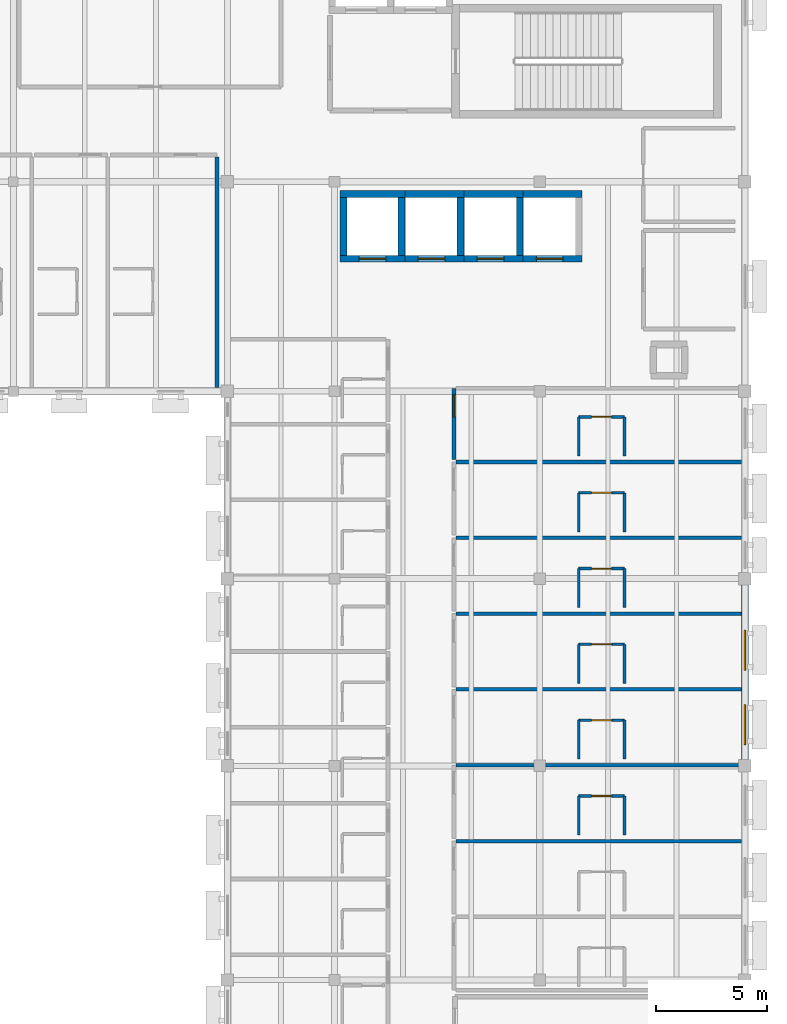
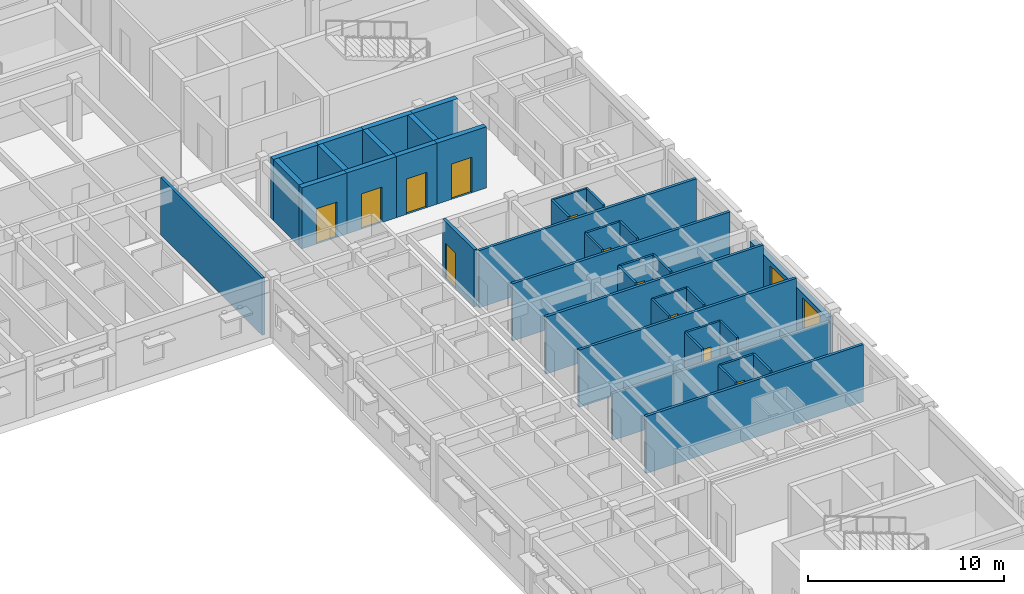
# One storey, part 32 of 40: 39 walls, 11 doors, 2 windows, 13 openings.
"""IFC4 building model written with IfcOpenShell, lengths in metres."""

import ifcopenshell
import ifcopenshell.guid

model = None  # the IFC model being written
_history = None  # IfcOwnerHistory: only IFC2X3 demands one
_inside = {}  # id of a spatial element -> (the spatial element, [elements in it])
_under = {}  # id of a project, library or spatial element -> (it, [spatial elements below it])
_declared = {}  # id of a project -> (the project, [libraries it declares])
_typed = {}  # id of a type object -> (the type object, [elements of that type])
_made_of = {}  # id of a material, layer set ... -> (it, [elements and type objects made of it])


def new_model(schema):
    """Start an empty IFC model of exactly this schema.

    Asked for "IFC4X3", IfcOpenShell would pick the latest addendum, in which some entities
    have other attributes; the version numbers below select the first issue.
    IFC2X3 requires an IfcOwnerHistory on every rooted entity: one is made here for all.
    """
    global model, _history
    if schema == "IFC4X3":
        model = ifcopenshell.file(schema_version=(4, 3, 0, 0))
    else:
        model = ifcopenshell.file(schema=schema)
    _inside.clear()
    _under.clear()
    _declared.clear()
    _typed.clear()
    _made_of.clear()
    _history = None
    if model.schema == "IFC2X3":
        org = make("IfcOrganization", Name="unknown")
        user = make(
            "IfcPersonAndOrganization",
            ThePerson=make("IfcPerson", FamilyName="unknown"),
            TheOrganization=org,
        )
        app = make(
            "IfcApplication",
            ApplicationDeveloper=org,
            Version="unknown",
            ApplicationFullName="unknown",
            ApplicationIdentifier="unknown",
        )
        _history = make(
            "IfcOwnerHistory",
            OwningUser=user,
            OwningApplication=app,
            ChangeAction="ADDED",
            CreationDate=0,
        )
    return model


def make(cls, **values):
    """One entity of the class cls with the attributes given. An attribute that is None is left unset."""
    return model.create_entity(
        cls, **{name: value for name, value in values.items() if value is not None}
    )


def rooted(cls, **values):
    """An entity with a GlobalId (a new one), such as an element, a storey or a relation."""
    return make(cls, GlobalId=ifcopenshell.guid.new(), OwnerHistory=_history, **values)


def si_unit(unit_type, name, prefix=None):
    """IfcSIUnit, for example si_unit("LENGTHUNIT", "METRE", prefix="MILLI")."""
    return make("IfcSIUnit", UnitType=unit_type, Prefix=prefix, Name=name)


def assignment(units):
    """IfcUnitAssignment: the units of a project."""
    return None if units is None else make("IfcUnitAssignment", Units=units)


def point(xyz):
    """IfcCartesianPoint."""
    return None if xyz is None else make("IfcCartesianPoint", Coordinates=xyz)


def direction(xyz):
    """IfcDirection."""
    return None if xyz is None else make("IfcDirection", DirectionRatios=xyz)


def frame(location, z_axis=None, x_axis=None):
    """IfcAxis2Placement3D, a coordinate frame: its origin and axes. An axis left out is left unset."""
    return make(
        "IfcAxis2Placement3D",
        Location=point(location),
        Axis=direction(z_axis),
        RefDirection=direction(x_axis),
    )


def frame_2d(location, x_axis=None):
    """IfcAxis2Placement2D, a coordinate frame in the plane: its origin and x axis."""
    return make(
        "IfcAxis2Placement2D", Location=point(location), RefDirection=direction(x_axis)
    )


def origin():
    """The frame at (0, 0, 0) with its axes left unset."""
    return frame((0.0, 0.0, 0.0))


def place(relative_to, where):
    """IfcLocalPlacement: puts the frame where relative to a parent placement (None: the world)."""
    return make(
        "IfcLocalPlacement", PlacementRelTo=relative_to, RelativePlacement=where
    )


def context(
    kind, dimensions, precision=None, world=None, true_north=None, identifier=None
):
    """IfcGeometricRepresentationContext, for example the 3D "Model" context."""
    return make(
        "IfcGeometricRepresentationContext",
        ContextIdentifier=identifier,
        ContextType=kind,
        CoordinateSpaceDimension=dimensions,
        Precision=precision,
        WorldCoordinateSystem=world,
        TrueNorth=true_north,
    )


def subcontext(parent, identifier, kind, view, scale=None):
    """IfcGeometricRepresentationSubContext, for example "Body" below "Model"."""
    return make(
        "IfcGeometricRepresentationSubContext",
        ContextIdentifier=identifier,
        ContextType=kind,
        ParentContext=parent,
        TargetScale=scale,
        TargetView=view,
    )


def project(units=None, contexts=None):
    """IfcProject with its units and contexts."""
    return rooted(
        "IfcProject",
        Name="project",
        RepresentationContexts=contexts,
        UnitsInContext=assignment(units),
    )


def spatial(cls, under=None, at=None, **own):
    """A site, building, storey or space (cls), placed at a placement, below another one or the project."""
    s = rooted(cls, ObjectPlacement=at, **own)
    if under is not None:
        _under.setdefault(under.id(), (under, []))[1].append(s)
    return s


def profile(cls, at=None, kind="AREA", **sizes):
    """A parametric profile (cls). Its sizes go by their IFC names, for example OverallWidth=200.0."""
    return make(cls, ProfileType=kind, Position=at, **sizes)


def rectangle(**sizes):
    """IfcRectangleProfileDef."""
    return profile("IfcRectangleProfileDef", **sizes)


def extrude(swept, where, along, depth):
    """IfcExtrudedAreaSolid: the profile swept, set in the frame where, extruded along a direction by depth."""
    return make(
        "IfcExtrudedAreaSolid",
        SweptArea=swept,
        Position=where,
        ExtrudedDirection=direction(along),
        Depth=depth,
    )


def shape(context_of_items, identifier, shape_type, items):
    """IfcShapeRepresentation: the items that make up one representation, for example the "Body"."""
    return make(
        "IfcShapeRepresentation",
        ContextOfItems=context_of_items,
        RepresentationIdentifier=identifier,
        RepresentationType=shape_type,
        Items=items,
    )


def material(Name=None, Category=None):
    """IfcMaterial."""
    return make("IfcMaterial", Name=Name, Category=Category)


def layer(
    of_material, thickness, ventilated=None, Name=None, Category=None, Priority=None
):
    """IfcMaterialLayer: one layer of a wall or slab, of a material (None: an air gap)."""
    return make(
        "IfcMaterialLayer",
        Material=of_material,
        LayerThickness=thickness,
        IsVentilated=ventilated,
        Name=Name,
        Category=Category,
        Priority=Priority,
    )


def layer_set(layers, Name=None):
    """IfcMaterialLayerSet."""
    return make("IfcMaterialLayerSet", MaterialLayers=layers, LayerSetName=Name)


def made_of(thing, what):
    """Note that an element or type object is made of a material, layer set ...; save() writes the relation."""
    if what is not None:
        _made_of.setdefault(what.id(), (what, []))[1].append(thing)
    return thing


def type_object(cls, material=None, **own):
    """A type object (cls), such as IfcWallType, which elements share."""
    return made_of(rooted(cls, **own), material)


def element(
    cls,
    number,
    at=None,
    inside=None,
    cuts=None,
    type_object=None,
    material=None,
    context=None,
    identifier="Body",
    shape_type=None,
    held_by="IfcProductDefinitionShape",
    body=None,
    shapes=None,
    **own,
):
    """One element of the class cls, such as IfcWall. Its Tag is "e" and its number.

    at: its placement. inside: the storey or other place that contains it. cuts: it is an
    opening in that element (IfcRelVoidsElement). A single representation is given by context,
    identifier, shape_type and body (its items); several are given by shapes. held_by: the class
    of the entity that holds the representations. save() writes the other relations.
    """
    e = rooted(cls, Tag="e%d" % number, ObjectPlacement=at, **own)
    if body is not None:
        shapes = [shape(context, identifier, shape_type, body)]
    if shapes is not None:
        e.Representation = make(held_by, Representations=shapes)
    if inside is not None:
        _inside.setdefault(inside.id(), (inside, []))[1].append(e)
    if cuts is not None:
        rooted(
            "IfcRelVoidsElement", RelatingBuildingElement=cuts, RelatedOpeningElement=e
        )
    if type_object is not None:
        _typed.setdefault(type_object.id(), (type_object, []))[1].append(e)
    return made_of(e, material)


def fill(opening, filler):
    """IfcRelFillsElement: the door or window that sits in an opening."""
    return rooted(
        "IfcRelFillsElement",
        RelatingOpeningElement=opening,
        RelatedBuildingElement=filler,
    )


def aggregate(whole, parts):
    """IfcRelAggregates: a whole, such as a stair, and the parts it consists of."""
    return rooted("IfcRelAggregates", RelatingObject=whole, RelatedObjects=parts)


def save(model, path):
    """Write the relations noted so far, then the file.

    IfcRelAggregates (storeys below a building ...), IfcRelContainedInSpatialStructure (elements
    in a storey), IfcRelDefinesByType, IfcRelAssociatesMaterial and IfcRelDeclares: one each for
    every whole, place, type object, material and project.
    """
    for whole, parts in _under.values():
        aggregate(whole, parts)
    for where, things in _inside.values():
        rooted(
            "IfcRelContainedInSpatialStructure",
            RelatedElements=things,
            RelatingStructure=where,
        )
    for kind, things in _typed.values():
        rooted("IfcRelDefinesByType", RelatedObjects=things, RelatingType=kind)
    for what, things in _made_of.values():
        rooted("IfcRelAssociatesMaterial", RelatedObjects=things, RelatingMaterial=what)
    for by, libraries in _declared.values():
        rooted("IfcRelDeclares", RelatingContext=by, RelatedDefinitions=libraries)
    model.write(path)


model = new_model("IFC4")

# Units and contexts
model_context = context("Model", 3, precision=1e-05, world=origin(), true_north=direction((0.0, 1.0)))
body_context = subcontext(model_context, "Body", "Model", "MODEL_VIEW")
ifc_project = project(units=[si_unit("LENGTHUNIT", "METRE"), si_unit("AREAUNIT", "SQUARE_METRE"), si_unit("VOLUMEUNIT", "CUBIC_METRE"), si_unit("PLANEANGLEUNIT", "RADIAN"), si_unit("MASSUNIT", "GRAM", prefix="KILO")], contexts=[model_context])

# Site, building, storey
site_placement = place(None, origin())
site = spatial("IfcSite", under=ifc_project, at=site_placement, CompositionType="ELEMENT")
building_placement = place(site_placement, origin())
building = spatial("IfcBuilding", under=site, at=building_placement, Name="Veldera Park Congress Hotel", CompositionType="ELEMENT")
storey_placement = place(building_placement, frame((0.0, 0.0, 16.199951171875)))
storey = spatial("IfcBuildingStorey", under=building, at=storey_placement, Name="L03", CompositionType="ELEMENT", Elevation=16.199951171875)

# Wall, openings, windows
ifc_material_1 = material(Name="Cross-laminated timber CLT V2M1.1", Category="wood")
ifc_layer_1 = layer(ifc_material_1, 0.320068359375)
ifc_layer_set_1 = layer_set([ifc_layer_1], Name="Cross-laminated timber CLT V2M1.1")
wall_type_1 = type_object("IfcWallType", Name="EW-CLT320", PredefinedType="STANDARD", material=ifc_layer_set_1)
wall_1_placement = place(storey_placement, frame((84.0, 10.47802734375, 0.0), z_axis=(0.0, 0.0, 1.0), x_axis=(0.0, 1.0, 0.0)))
wall_1 = element("IfcWall", 1, at=wall_1_placement, inside=storey, type_object=wall_type_1, Name="L03 Exterior Wall EW3-L03-0218", PredefinedType="STANDARD", context=body_context, shape_type="SweptSolid", body=[
    extrude(rectangle(XDim=7.843994140625, YDim=0.320068359375, at=frame_2d((3.921875, 0.0))), origin(), (0.0, 0.0, 1.0), 2.97509765625),
])
opening_1_placement = place(wall_1_placement, frame((0.676025390625, 0.0, 0.85009765625)))
opening_1 = element("IfcOpeningElement", 2, at=opening_1_placement, cuts=wall_1, Name="Opening WIN-1800", PredefinedType="OPENING", context=body_context, shape_type="SweptSolid", body=[
    extrude(rectangle(XDim=1.800048828125, YDim=1.85009765625, at=frame_2d((0.89990234375, 0.925048828125))), frame((0.0, 0.172119140625, 0.0), z_axis=(0.0, -1.0, 0.0), x_axis=(1.0, 0.0, 0.0)), (0.0, 0.0, 1.0), 0.343994140625),
])
opening_2_placement = place(wall_1_placement, frame((4.011962890625, 0.0, 0.85009765625)))
opening_2 = element("IfcOpeningElement", 3, at=opening_2_placement, cuts=wall_1, Name="Opening WIN-1800", PredefinedType="OPENING", context=body_context, shape_type="SweptSolid", body=[
    extrude(rectangle(XDim=1.800048828125, YDim=1.85009765625, at=frame_2d((0.89990234375, 0.925048828125))), frame((0.0, 0.172119140625, 0.0), z_axis=(0.0, -1.0, 0.0), x_axis=(1.0, 0.0, 0.0)), (0.0, 0.0, 1.0), 0.343994140625),
])
ifc_material_2 = material(Name="Low-E Triple Insulating Glass Unit (SHGC 0.22)", Category="glass")
window_type = type_object("IfcWindowType", Name="WIN-1800", PartitioningType="SINGLE_PANEL", PredefinedType="WINDOW", material=ifc_material_2)
window_1_placement = place(opening_1_placement, origin())
window_1 = element("IfcWindow", 4, at=window_1_placement, inside=storey, type_object=window_type, Name="L03 Window WIN-1800 431", OverallHeight=1.85009765625, OverallWidth=1.800048828125, PartitioningType="SINGLE_PANEL", PredefinedType="WINDOW", context=body_context, shape_type="SweptSolid", body=[
    extrude(rectangle(XDim=1.800048828125, YDim=1.85009765625, at=frame_2d((0.89990234375, 0.925048828125))), frame((0.0, 0.030029296875, 0.0), z_axis=(0.0, -1.0, 0.0), x_axis=(1.0, 0.0, 0.0)), (0.0, 0.0, 1.0), 0.06005859375),
])
fill(opening_1, window_1)
window_2_placement = place(opening_2_placement, origin())
window_2 = element("IfcWindow", 5, at=window_2_placement, inside=storey, type_object=window_type, Name="L03 Window WIN-1800 432", OverallHeight=1.85009765625, OverallWidth=1.800048828125, PartitioningType="SINGLE_PANEL", PredefinedType="WINDOW", context=body_context, shape_type="SweptSolid", body=[
    extrude(rectangle(XDim=1.800048828125, YDim=1.85009765625, at=frame_2d((0.89990234375, 0.925048828125))), frame((0.0, 0.030029296875, 0.0), z_axis=(0.0, -1.0, 0.0), x_axis=(1.0, 0.0, 0.0)), (0.0, 0.0, 1.0), 0.06005859375),
])
fill(opening_2, window_2)

# Walls
ifc_material_3 = material(Name="Fire-Rated Gypsum Board on Cold-Formed Steel Studs", Category="steel")
ifc_layer_2 = layer(ifc_material_3, 0.1201171875)
ifc_layer_set_2 = layer_set([ifc_layer_2], Name="Fire-Rated Gypsum Board on Cold-Formed Steel Studs")
wall_type_2 = type_object("IfcWallType", Name="IW-BATH120", PredefinedType="PARTITIONING", material=ifc_layer_set_2)
for number, where, z_axis, x_axis, name in (
    (6, (76.550048828125, 7.10009765625, 0.0), (0.0, 0.0, 1.0), (0.0, 1.0, 0.0), "L03 Partition Wall IW3-L03-00732"),
    (7, (78.60009765625, 7.10009765625, 0.0), (0.0, 0.0, 1.0), (0.0, 1.0, 0.0), "L03 Partition Wall IW3-L03-00733"),
):
    element("IfcWall", number, at=place(storey_placement, frame(where, z_axis=z_axis, x_axis=x_axis)), inside=storey, type_object=wall_type_2, Name=name, PredefinedType="PARTITIONING", context=body_context, shape_type="SweptSolid", body=[
        extrude(rectangle(XDim=1.75, YDim=0.1201171875, at=frame_2d((0.875, 0.0))), origin(), (0.0, 0.0, 1.0), 3.56005859375),
    ])

# Wall, opening, door
wall_2_placement = place(storey_placement, frame((76.550048828125, 8.85009765625, 0.0), z_axis=(0.0, 0.0, 1.0), x_axis=(1.0, 0.0, 0.0)))
wall_2 = element("IfcWall", 8, at=wall_2_placement, inside=storey, type_object=wall_type_2, Name="L03 Partition Wall IW3-L03-00734", PredefinedType="PARTITIONING", context=body_context, shape_type="SweptSolid", body=[
    extrude(rectangle(XDim=2.050048828125, YDim=0.1201171875, at=frame_2d((1.02490234375, 0.0))), origin(), (0.0, 0.0, 1.0), 3.56005859375),
])
opening_3_placement = place(wall_2_placement, frame((0.574951171875, 0.0, 0.0)))
opening_3 = element("IfcOpeningElement", 9, at=opening_3_placement, cuts=wall_2, Name="Opening ID-BATH090", PredefinedType="OPENING", context=body_context, shape_type="SweptSolid", body=[
    extrude(rectangle(XDim=0.89990234375, YDim=2.14990234375, at=frame_2d((0.449951171875, 1.074951171875))), frame((0.0, 0.072021484375, 0.0), z_axis=(0.0, -1.0, 0.0), x_axis=(1.0, 0.0, 0.0)), (0.0, 0.0, 1.0), 0.14404296875),
])
ifc_material_4 = material(Name="Solid Core White Oak Architectural Door", Category="wood")
door_type_1 = type_object("IfcDoorType", Name="ID-BATH090", OperationType="NOTDEFINED", PredefinedType="DOOR", material=ifc_material_4)
door_1_placement = place(opening_3_placement, origin())
door_1 = element("IfcDoor", 10, at=door_1_placement, inside=storey, type_object=door_type_1, Name="L03 En-suite 081 Door ID3-L03-0301 (DR3-ID3-L03-0301)", OperationType="SINGLE_SWING_LEFT", OverallHeight=2.14990234375, OverallWidth=0.89990234375, PredefinedType="DOOR", context=body_context, shape_type="SweptSolid", body=[
    extrude(rectangle(XDim=0.89990234375, YDim=2.14990234375, at=frame_2d((0.449951171875, 1.074951171875))), frame((0.0, 0.02490234375, 0.0), z_axis=(0.0, -1.0, 0.0), x_axis=(1.0, 0.0, 0.0)), (0.0, 0.0, 1.0), 0.050048828125),
])
fill(opening_3, door_1)

# Walls
for number, where, z_axis, x_axis, name in (
    (11, (76.550048828125, 10.5, 0.0), (0.0, 0.0, 1.0), (0.0, 1.0, 0.0), "L03 Partition Wall IW3-L03-00737"),
    (12, (78.60009765625, 10.5, 0.0), (0.0, 0.0, 1.0), (0.0, 1.0, 0.0), "L03 Partition Wall IW3-L03-00738"),
):
    element("IfcWall", number, at=place(storey_placement, frame(where, z_axis=z_axis, x_axis=x_axis)), inside=storey, type_object=wall_type_2, Name=name, PredefinedType="PARTITIONING", context=body_context, shape_type="SweptSolid", body=[
        extrude(rectangle(XDim=1.75, YDim=0.1201171875, at=frame_2d((0.875, 0.0))), origin(), (0.0, 0.0, 1.0), 3.56005859375),
    ])

# Wall, opening, door
wall_3_placement = place(storey_placement, frame((76.550048828125, 12.25, 0.0), z_axis=(0.0, 0.0, 1.0), x_axis=(1.0, 0.0, 0.0)))
wall_3 = element("IfcWall", 13, at=wall_3_placement, inside=storey, type_object=wall_type_2, Name="L03 Partition Wall IW3-L03-00739", PredefinedType="PARTITIONING", context=body_context, shape_type="SweptSolid", body=[
    extrude(rectangle(XDim=2.050048828125, YDim=0.1201171875, at=frame_2d((1.02490234375, 0.0))), origin(), (0.0, 0.0, 1.0), 3.56005859375),
])
opening_4_placement = place(wall_3_placement, frame((0.574951171875, 0.0, 0.0)))
opening_4 = element("IfcOpeningElement", 14, at=opening_4_placement, cuts=wall_3, Name="Opening ID-BATH090", PredefinedType="OPENING", context=body_context, shape_type="SweptSolid", body=[
    extrude(rectangle(XDim=0.89990234375, YDim=2.14990234375, at=frame_2d((0.449951171875, 1.074951171875))), frame((0.0, 0.072021484375, 0.0), z_axis=(0.0, -1.0, 0.0), x_axis=(1.0, 0.0, 0.0)), (0.0, 0.0, 1.0), 0.14404296875),
])
door_2_placement = place(opening_4_placement, origin())
door_2 = element("IfcDoor", 15, at=door_2_placement, inside=storey, type_object=door_type_1, Name="L03 En-suite 082 Door ID3-L03-0303 (DR3-ID3-L03-0303)", OperationType="SINGLE_SWING_LEFT", OverallHeight=2.14990234375, OverallWidth=0.89990234375, PredefinedType="DOOR", context=body_context, shape_type="SweptSolid", body=[
    extrude(rectangle(XDim=0.89990234375, YDim=2.14990234375, at=frame_2d((0.449951171875, 1.074951171875))), frame((0.0, 0.02490234375, 0.0), z_axis=(0.0, -1.0, 0.0), x_axis=(1.0, 0.0, 0.0)), (0.0, 0.0, 1.0), 0.050048828125),
])
fill(opening_4, door_2)

# Walls
for number, where, z_axis, x_axis, name in (
    (16, (76.550048828125, 13.89990234375, 0.0), (0.0, 0.0, 1.0), (0.0, 1.0, 0.0), "L03 Partition Wall IW3-L03-00742"),
    (17, (78.60009765625, 13.89990234375, 0.0), (0.0, 0.0, 1.0), (0.0, 1.0, 0.0), "L03 Partition Wall IW3-L03-00743"),
):
    element("IfcWall", number, at=place(storey_placement, frame(where, z_axis=z_axis, x_axis=x_axis)), inside=storey, type_object=wall_type_2, Name=name, PredefinedType="PARTITIONING", context=body_context, shape_type="SweptSolid", body=[
        extrude(rectangle(XDim=1.75, YDim=0.1201171875, at=frame_2d((0.875, 0.0))), origin(), (0.0, 0.0, 1.0), 3.56005859375),
    ])

# Wall, opening, door
wall_4_placement = place(storey_placement, frame((76.550048828125, 15.64990234375, 0.0), z_axis=(0.0, 0.0, 1.0), x_axis=(1.0, 0.0, 0.0)))
wall_4 = element("IfcWall", 18, at=wall_4_placement, inside=storey, type_object=wall_type_2, Name="L03 Partition Wall IW3-L03-00744", PredefinedType="PARTITIONING", context=body_context, shape_type="SweptSolid", body=[
    extrude(rectangle(XDim=2.050048828125, YDim=0.1201171875, at=frame_2d((1.02490234375, 0.0))), origin(), (0.0, 0.0, 1.0), 3.56005859375),
])
opening_5_placement = place(wall_4_placement, frame((0.574951171875, 0.0, 0.0)))
opening_5 = element("IfcOpeningElement", 19, at=opening_5_placement, cuts=wall_4, Name="Opening ID-BATH090", PredefinedType="OPENING", context=body_context, shape_type="SweptSolid", body=[
    extrude(rectangle(XDim=0.89990234375, YDim=2.14990234375, at=frame_2d((0.449951171875, 1.074951171875))), frame((0.0, 0.072021484375, 0.0), z_axis=(0.0, -1.0, 0.0), x_axis=(1.0, 0.0, 0.0)), (0.0, 0.0, 1.0), 0.14404296875),
])
door_3_placement = place(opening_5_placement, origin())
door_3 = element("IfcDoor", 20, at=door_3_placement, inside=storey, type_object=door_type_1, Name="L03 En-suite 083 Door ID3-L03-0305 (DR3-ID3-L03-0305)", OperationType="SINGLE_SWING_LEFT", OverallHeight=2.14990234375, OverallWidth=0.89990234375, PredefinedType="DOOR", context=body_context, shape_type="SweptSolid", body=[
    extrude(rectangle(XDim=0.89990234375, YDim=2.14990234375, at=frame_2d((0.449951171875, 1.074951171875))), frame((0.0, 0.02490234375, 0.0), z_axis=(0.0, -1.0, 0.0), x_axis=(1.0, 0.0, 0.0)), (0.0, 0.0, 1.0), 0.050048828125),
])
fill(opening_5, door_3)

# Walls
for number, where, z_axis, x_axis, name in (
    (21, (76.550048828125, 17.300048828125, 0.0), (0.0, 0.0, 1.0), (0.0, 1.0, 0.0), "L03 Partition Wall IW3-L03-00747"),
    (22, (78.60009765625, 17.300048828125, 0.0), (0.0, 0.0, 1.0), (0.0, 1.0, 0.0), "L03 Partition Wall IW3-L03-00748"),
):
    element("IfcWall", number, at=place(storey_placement, frame(where, z_axis=z_axis, x_axis=x_axis)), inside=storey, type_object=wall_type_2, Name=name, PredefinedType="PARTITIONING", context=body_context, shape_type="SweptSolid", body=[
        extrude(rectangle(XDim=1.75, YDim=0.1201171875, at=frame_2d((0.875, 0.0))), origin(), (0.0, 0.0, 1.0), 3.56005859375),
    ])

# Wall, opening, door
wall_5_placement = place(storey_placement, frame((76.550048828125, 19.050048828125, 0.0), z_axis=(0.0, 0.0, 1.0), x_axis=(1.0, 0.0, 0.0)))
wall_5 = element("IfcWall", 23, at=wall_5_placement, inside=storey, type_object=wall_type_2, Name="L03 Partition Wall IW3-L03-00749", PredefinedType="PARTITIONING", context=body_context, shape_type="SweptSolid", body=[
    extrude(rectangle(XDim=2.050048828125, YDim=0.1201171875, at=frame_2d((1.02490234375, 0.0))), origin(), (0.0, 0.0, 1.0), 3.56005859375),
])
opening_6_placement = place(wall_5_placement, frame((0.574951171875, 0.0, 0.0)))
opening_6 = element("IfcOpeningElement", 24, at=opening_6_placement, cuts=wall_5, Name="Opening ID-BATH090", PredefinedType="OPENING", context=body_context, shape_type="SweptSolid", body=[
    extrude(rectangle(XDim=0.89990234375, YDim=2.14990234375, at=frame_2d((0.449951171875, 1.074951171875))), frame((0.0, 0.072021484375, 0.0), z_axis=(0.0, -1.0, 0.0), x_axis=(1.0, 0.0, 0.0)), (0.0, 0.0, 1.0), 0.14404296875),
])
door_4_placement = place(opening_6_placement, origin())
door_4 = element("IfcDoor", 25, at=door_4_placement, inside=storey, type_object=door_type_1, Name="L03 En-suite 084 Door ID3-L03-0307 (DR3-ID3-L03-0307)", OperationType="SINGLE_SWING_LEFT", OverallHeight=2.14990234375, OverallWidth=0.89990234375, PredefinedType="DOOR", context=body_context, shape_type="SweptSolid", body=[
    extrude(rectangle(XDim=0.89990234375, YDim=2.14990234375, at=frame_2d((0.449951171875, 1.074951171875))), frame((0.0, 0.02490234375, 0.0), z_axis=(0.0, -1.0, 0.0), x_axis=(1.0, 0.0, 0.0)), (0.0, 0.0, 1.0), 0.050048828125),
])
fill(opening_6, door_4)

# Walls
for number, where, z_axis, x_axis, name in (
    (26, (76.550048828125, 20.699951171875, 0.0), (0.0, 0.0, 1.0), (0.0, 1.0, 0.0), "L03 Partition Wall IW3-L03-00752"),
    (27, (78.60009765625, 20.699951171875, 0.0), (0.0, 0.0, 1.0), (0.0, 1.0, 0.0), "L03 Partition Wall IW3-L03-00753"),
):
    element("IfcWall", number, at=place(storey_placement, frame(where, z_axis=z_axis, x_axis=x_axis)), inside=storey, type_object=wall_type_2, Name=name, PredefinedType="PARTITIONING", context=body_context, shape_type="SweptSolid", body=[
        extrude(rectangle(XDim=1.75, YDim=0.1201171875, at=frame_2d((0.875, 0.0))), origin(), (0.0, 0.0, 1.0), 3.56005859375),
    ])

# Wall, opening, door
wall_6_placement = place(storey_placement, frame((76.550048828125, 22.449951171875, 0.0), z_axis=(0.0, 0.0, 1.0), x_axis=(1.0, 0.0, 0.0)))
wall_6 = element("IfcWall", 28, at=wall_6_placement, inside=storey, type_object=wall_type_2, Name="L03 Partition Wall IW3-L03-00754", PredefinedType="PARTITIONING", context=body_context, shape_type="SweptSolid", body=[
    extrude(rectangle(XDim=2.050048828125, YDim=0.1201171875, at=frame_2d((1.02490234375, 0.0))), origin(), (0.0, 0.0, 1.0), 3.56005859375),
])
opening_7_placement = place(wall_6_placement, frame((0.574951171875, 0.0, 0.0)))
opening_7 = element("IfcOpeningElement", 29, at=opening_7_placement, cuts=wall_6, Name="Opening ID-BATH090", PredefinedType="OPENING", context=body_context, shape_type="SweptSolid", body=[
    extrude(rectangle(XDim=0.89990234375, YDim=2.14990234375, at=frame_2d((0.449951171875, 1.074951171875))), frame((0.0, 0.072021484375, 0.0), z_axis=(0.0, -1.0, 0.0), x_axis=(1.0, 0.0, 0.0)), (0.0, 0.0, 1.0), 0.14404296875),
])
door_5_placement = place(opening_7_placement, origin())
door_5 = element("IfcDoor", 30, at=door_5_placement, inside=storey, type_object=door_type_1, Name="L03 En-suite 085 Door ID3-L03-0309 (DR3-ID3-L03-0309)", OperationType="SINGLE_SWING_LEFT", OverallHeight=2.14990234375, OverallWidth=0.89990234375, PredefinedType="DOOR", context=body_context, shape_type="SweptSolid", body=[
    extrude(rectangle(XDim=0.89990234375, YDim=2.14990234375, at=frame_2d((0.449951171875, 1.074951171875))), frame((0.0, 0.02490234375, 0.0), z_axis=(0.0, -1.0, 0.0), x_axis=(1.0, 0.0, 0.0)), (0.0, 0.0, 1.0), 0.050048828125),
])
fill(opening_7, door_5)

# Walls
for number, where, z_axis, x_axis, name in (
    (31, (76.550048828125, 24.10009765625, 0.0), (0.0, 0.0, 1.0), (0.0, 1.0, 0.0), "L03 Partition Wall IW3-L03-00757"),
    (32, (78.60009765625, 24.10009765625, 0.0), (0.0, 0.0, 1.0), (0.0, 1.0, 0.0), "L03 Partition Wall IW3-L03-00758"),
):
    element("IfcWall", number, at=place(storey_placement, frame(where, z_axis=z_axis, x_axis=x_axis)), inside=storey, type_object=wall_type_2, Name=name, PredefinedType="PARTITIONING", context=body_context, shape_type="SweptSolid", body=[
        extrude(rectangle(XDim=1.75, YDim=0.1201171875, at=frame_2d((0.875, 0.0))), origin(), (0.0, 0.0, 1.0), 3.56005859375),
    ])

# Wall, opening, door
wall_7_placement = place(storey_placement, frame((76.550048828125, 25.85009765625, 0.0), z_axis=(0.0, 0.0, 1.0), x_axis=(1.0, 0.0, 0.0)))
wall_7 = element("IfcWall", 33, at=wall_7_placement, inside=storey, type_object=wall_type_2, Name="L03 Partition Wall IW3-L03-00759", PredefinedType="PARTITIONING", context=body_context, shape_type="SweptSolid", body=[
    extrude(rectangle(XDim=2.050048828125, YDim=0.1201171875, at=frame_2d((1.02490234375, 0.0))), origin(), (0.0, 0.0, 1.0), 3.56005859375),
])
opening_8_placement = place(wall_7_placement, frame((0.574951171875, 0.0, 0.0)))
opening_8 = element("IfcOpeningElement", 34, at=opening_8_placement, cuts=wall_7, Name="Opening ID-BATH090", PredefinedType="OPENING", context=body_context, shape_type="SweptSolid", body=[
    extrude(rectangle(XDim=0.89990234375, YDim=2.14990234375, at=frame_2d((0.449951171875, 1.074951171875))), frame((0.0, 0.072021484375, 0.0), z_axis=(0.0, -1.0, 0.0), x_axis=(1.0, 0.0, 0.0)), (0.0, 0.0, 1.0), 0.14404296875),
])
door_6_placement = place(opening_8_placement, origin())
door_6 = element("IfcDoor", 35, at=door_6_placement, inside=storey, type_object=door_type_1, Name="L03 En-suite 086 Door ID3-L03-0311 (DR3-ID3-L03-0311)", OperationType="SINGLE_SWING_LEFT", OverallHeight=2.14990234375, OverallWidth=0.89990234375, PredefinedType="DOOR", context=body_context, shape_type="SweptSolid", body=[
    extrude(rectangle(XDim=0.89990234375, YDim=2.14990234375, at=frame_2d((0.449951171875, 1.074951171875))), frame((0.0, 0.02490234375, 0.0), z_axis=(0.0, -1.0, 0.0), x_axis=(1.0, 0.0, 0.0)), (0.0, 0.0, 1.0), 0.050048828125),
])
fill(opening_8, door_6)

ifc_layer_3 = layer(ifc_material_3, 0.179931640625)
ifc_layer_set_3 = layer_set([ifc_layer_3], Name="Fire-Rated Gypsum Board on Cold-Formed Steel Studs")
wall_type_3 = type_object("IfcWallType", Name="IW-CORR180", PredefinedType="PARTITIONING", material=ifc_layer_set_3)
wall_8_placement = place(storey_placement, frame((70.949951171875, 27.1298828125, 0.0), z_axis=(0.0, 0.0, 1.0), x_axis=(0.0, -1.0, 0.0)))
wall_8 = element("IfcWall", 36, at=wall_8_placement, inside=storey, type_object=wall_type_3, Name="L03 Corridor Wall IW3-L03-00755", PredefinedType="PARTITIONING", context=body_context, shape_type="SweptSolid", body=[
    extrude(rectangle(XDim=3.179931640625, YDim=0.179931640625, at=frame_2d((1.58984375, 0.0))), origin(), (0.0, 0.0, 1.0), 3.56005859375),
])
opening_9_placement = place(wall_8_placement, frame((0.280029296875, 0.0, 0.0)))
opening_9 = element("IfcOpeningElement", 37, at=opening_9_placement, cuts=wall_8, Name="Opening ID-UNIT100", PredefinedType="OPENING", context=body_context, shape_type="SweptSolid", body=[
    extrude(rectangle(XDim=1.0, YDim=2.199951171875, at=frame_2d((0.5, 1.10009765625))), frame((0.0, 0.10205078125, 0.0), z_axis=(0.0, -1.0, 0.0), x_axis=(1.0, 0.0, 0.0)), (0.0, 0.0, 1.0), 0.203857421875),
])
door_type_2 = type_object("IfcDoorType", Name="ID-UNIT100", OperationType="NOTDEFINED", PredefinedType="DOOR", material=ifc_material_4)
door_7_placement = place(opening_9_placement, origin())
door_7 = element("IfcDoor", 38, at=door_7_placement, inside=storey, type_object=door_type_2, Name="L03 Guestroom 086 Entry Door (DR3-UD3-L03-086)", OperationType="SINGLE_SWING_RIGHT", OverallHeight=2.199951171875, OverallWidth=1.0, PredefinedType="DOOR", context=body_context, shape_type="SweptSolid", body=[
    extrude(rectangle(XDim=1.0, YDim=2.199951171875, at=frame_2d((0.5, 1.10009765625))), frame((0.0, 0.02490234375, 0.0), z_axis=(0.0, -1.0, 0.0), x_axis=(1.0, 0.0, 0.0)), (0.0, 0.0, 1.0), 0.050048828125),
])
fill(opening_9, door_7)

# Walls
ifc_layer_4 = layer(ifc_material_1, 0.159912109375)
ifc_layer_set_4 = layer_set([ifc_layer_4], Name="Cross-laminated timber CLT V2M1.1")
wall_type_4 = type_object("IfcWallType", Name="IW-UNIT160", PredefinedType="PARTITIONING", material=ifc_layer_set_4)
wall_9_placement = place(storey_placement, frame((71.050048828125, 6.830078125, 0.0), z_axis=(0.0, 0.0, 1.0), x_axis=(1.0, 0.0, 0.0)))
element("IfcWall", 39, at=wall_9_placement, inside=storey, type_object=wall_type_4, Name="L03 Partition Wall IW3-L03-00726", PredefinedType="PARTITIONING", context=body_context, shape_type="SweptSolid", body=[
    extrude(rectangle(XDim=12.7900390625, YDim=0.159912109375, at=frame_2d((6.39501953125, 0.0))), origin(), (0.0, 0.0, 1.0), 3.56005859375),
])
wall_10_placement = place(storey_placement, frame((71.050048828125, 10.22998046875, 0.0), z_axis=(0.0, 0.0, 1.0), x_axis=(1.0, 0.0, 0.0)))
element("IfcWall", 40, at=wall_10_placement, inside=storey, type_object=wall_type_4, Name="L03 Partition Wall IW3-L03-00731", PredefinedType="PARTITIONING", context=body_context, shape_type="SweptSolid", body=[
    extrude(rectangle(XDim=12.7900390625, YDim=0.159912109375, at=frame_2d((6.39501953125, 0.0))), origin(), (0.0, 0.0, 1.0), 2.9150390625),
])
for number, where, z_axis, x_axis, name in (
    (41, (71.050048828125, 13.6298828125, 0.0), (0.0, 0.0, 1.0), (1.0, 0.0, 0.0), "L03 Partition Wall IW3-L03-00736"),
    (42, (71.050048828125, 17.030029296875, 0.0), (0.0, 0.0, 1.0), (1.0, 0.0, 0.0), "L03 Partition Wall IW3-L03-00741"),
    (43, (71.050048828125, 20.429931640625, 0.0), (0.0, 0.0, 1.0), (1.0, 0.0, 0.0), "L03 Partition Wall IW3-L03-00746"),
    (44, (71.050048828125, 23.830078125, 0.0), (0.0, 0.0, 1.0), (1.0, 0.0, 0.0), "L03 Partition Wall IW3-L03-00751"),
):
    element("IfcWall", number, at=place(storey_placement, frame(where, z_axis=z_axis, x_axis=x_axis)), inside=storey, type_object=wall_type_4, Name=name, PredefinedType="PARTITIONING", context=body_context, shape_type="SweptSolid", body=[
        extrude(rectangle(XDim=12.7900390625, YDim=0.159912109375, at=frame_2d((6.39501953125, 0.0))), origin(), (0.0, 0.0, 1.0), 3.56005859375),
    ])
wall_11_placement = place(storey_placement, frame((60.330078125, 27.159912109375, 0.0), z_axis=(0.0, 0.0, 1.0), x_axis=(0.0, 1.0, 0.0)))
element("IfcWall", 45, at=wall_11_placement, inside=storey, type_object=wall_type_4, Name="L03 Partition Wall IW3-L03-00782", PredefinedType="PARTITIONING", context=body_context, shape_type="SweptSolid", body=[
    extrude(rectangle(XDim=10.340087890625, YDim=0.159912109375, at=frame_2d((5.169921875, 0.0))), origin(), (0.0, 0.0, 1.0), 3.56005859375),
])

# Wall, opening, door
ifc_material_5 = material(Name="Concrete f'c 40 MPa (5,800 psi)", Category="concrete")
ifc_layer_5 = layer(ifc_material_5, 0.300048828125)
ifc_layer_set_5 = layer_set([ifc_layer_5], Name="Concrete f'c 40 MPa (5,800 psi)")
wall_type_5 = type_object("IfcWallType", Name="SW-SHFT300", PredefinedType="SHEAR", material=ifc_layer_set_5)
wall_12_placement = place(storey_placement, frame((65.85009765625, 32.949951171875, 0.0), z_axis=(0.0, 0.0, 1.0), x_axis=(1.0, 0.0, 0.0)))
wall_12 = element("IfcWall", 46, at=wall_12_placement, inside=storey, type_object=wall_type_5, Name="Lift PL-01 Shaft Wall L03-S", PredefinedType="SHEAR", context=body_context, shape_type="SweptSolid", body=[
    extrude(rectangle(XDim=2.89990234375, YDim=0.300048828125, at=frame_2d((1.449951171875, 0.0))), origin(), (0.0, 0.0, 1.0), 3.800048828125),
])
opening_10_placement = place(wall_12_placement, frame((0.85009765625, 0.0, 0.0)))
opening_10 = element("IfcOpeningElement", 47, at=opening_10_placement, cuts=wall_12, Name="Opening LD-120", PredefinedType="OPENING", context=body_context, shape_type="SweptSolid", body=[
    extrude(rectangle(XDim=1.199951171875, YDim=2.199951171875, at=frame_2d((0.60009765625, 1.10009765625))), frame((0.0, 0.162109375, 0.0), z_axis=(0.0, -1.0, 0.0), x_axis=(1.0, 0.0, 0.0)), (0.0, 0.0, 1.0), 0.323974609375),
])
ifc_material_6 = material(Name="Hollow Metal Fire-Rated Steel Door", Category="steel")
door_type_3 = type_object("IfcDoorType", Name="LD-120", OperationType="DOUBLE_DOOR_SLIDING", PredefinedType="DOOR", material=ifc_material_6)
door_8_placement = place(opening_10_placement, origin())
door_8 = element("IfcDoor", 48, at=door_8_placement, inside=storey, type_object=door_type_3, Name="L03 Lift PL-01 Landing Door (DR3-LD-PL-01-L03)", OperationType="DOUBLE_DOOR_SLIDING", OverallHeight=2.199951171875, OverallWidth=1.199951171875, PredefinedType="DOOR", context=body_context, shape_type="SweptSolid", body=[
    extrude(rectangle(XDim=1.199951171875, YDim=2.199951171875, at=frame_2d((0.60009765625, 1.10009765625))), frame((0.0, 0.02490234375, 0.0), z_axis=(0.0, -1.0, 0.0), x_axis=(1.0, 0.0, 0.0)), (0.0, 0.0, 1.0), 0.050048828125),
])
fill(opening_10, door_8)

# Walls
wall_13_placement = place(storey_placement, frame((68.75, 35.85009765625, 0.0), z_axis=(0.0, 0.0, 1.0), x_axis=(-1.0, 0.0, 0.0)))
element("IfcWall", 49, at=wall_13_placement, inside=storey, type_object=wall_type_5, Name="Lift PL-01 Shaft Wall L03-N", PredefinedType="SHEAR", context=body_context, shape_type="SweptSolid", body=[
    extrude(rectangle(XDim=2.89990234375, YDim=0.300048828125, at=frame_2d((1.449951171875, 0.0))), origin(), (0.0, 0.0, 1.0), 3.800048828125),
])
for number, where, z_axis, x_axis, name in (
    (50, (68.60009765625, 33.10009765625, 0.0), (0.0, 0.0, 1.0), (0.0, 1.0, 0.0), "Lift PL-01 Shaft Wall L03-E"),
    (51, (66.0, 35.699951171875, 0.0), (0.0, 0.0, 1.0), (0.0, -1.0, 0.0), "Lift PL-01 Shaft Wall L03-W"),
):
    element("IfcWall", number, at=place(storey_placement, frame(where, z_axis=z_axis, x_axis=x_axis)), inside=storey, type_object=wall_type_5, Name=name, PredefinedType="SHEAR", context=body_context, shape_type="SweptSolid", body=[
        extrude(rectangle(XDim=2.599853515625, YDim=0.300048828125, at=frame_2d((1.2998046875, 0.0))), origin(), (0.0, 0.0, 1.0), 3.800048828125),
    ])

# Wall, opening, door
wall_14_placement = place(storey_placement, frame((68.5, 32.949951171875, 0.0), z_axis=(0.0, 0.0, 1.0), x_axis=(1.0, 0.0, 0.0)))
wall_14 = element("IfcWall", 52, at=wall_14_placement, inside=storey, type_object=wall_type_5, Name="Lift PL-02 Shaft Wall L03-S", PredefinedType="SHEAR", context=body_context, shape_type="SweptSolid", body=[
    extrude(rectangle(XDim=2.89990234375, YDim=0.300048828125, at=frame_2d((1.449951171875, 0.0))), origin(), (0.0, 0.0, 1.0), 3.800048828125),
])
opening_11_placement = place(wall_14_placement, frame((0.85009765625, 0.0, 0.0)))
opening_11 = element("IfcOpeningElement", 53, at=opening_11_placement, cuts=wall_14, Name="Opening LD-120", PredefinedType="OPENING", context=body_context, shape_type="SweptSolid", body=[
    extrude(rectangle(XDim=1.199951171875, YDim=2.199951171875, at=frame_2d((0.60009765625, 1.10009765625))), frame((0.0, 0.162109375, 0.0), z_axis=(0.0, -1.0, 0.0), x_axis=(1.0, 0.0, 0.0)), (0.0, 0.0, 1.0), 0.323974609375),
])
door_9_placement = place(opening_11_placement, origin())
door_9 = element("IfcDoor", 54, at=door_9_placement, inside=storey, type_object=door_type_3, Name="L03 Lift PL-02 Landing Door (DR3-LD-PL-02-L03)", OperationType="DOUBLE_DOOR_SLIDING", OverallHeight=2.199951171875, OverallWidth=1.199951171875, PredefinedType="DOOR", context=body_context, shape_type="SweptSolid", body=[
    extrude(rectangle(XDim=1.199951171875, YDim=2.199951171875, at=frame_2d((0.60009765625, 1.10009765625))), frame((0.0, 0.02490234375, 0.0), z_axis=(0.0, -1.0, 0.0), x_axis=(1.0, 0.0, 0.0)), (0.0, 0.0, 1.0), 0.050048828125),
])
fill(opening_11, door_9)

# Walls
wall_15_placement = place(storey_placement, frame((71.39990234375, 35.85009765625, 0.0), z_axis=(0.0, 0.0, 1.0), x_axis=(-1.0, 0.0, 0.0)))
element("IfcWall", 55, at=wall_15_placement, inside=storey, type_object=wall_type_5, Name="Lift PL-02 Shaft Wall L03-N", PredefinedType="SHEAR", context=body_context, shape_type="SweptSolid", body=[
    extrude(rectangle(XDim=2.89990234375, YDim=0.300048828125, at=frame_2d((1.449951171875, 0.0))), origin(), (0.0, 0.0, 1.0), 3.800048828125),
])
wall_16_placement = place(storey_placement, frame((71.25, 33.10009765625, 0.0), z_axis=(0.0, 0.0, 1.0), x_axis=(0.0, 1.0, 0.0)))
element("IfcWall", 56, at=wall_16_placement, inside=storey, type_object=wall_type_5, Name="Lift PL-02 Shaft Wall L03-E", PredefinedType="SHEAR", context=body_context, shape_type="SweptSolid", body=[
    extrude(rectangle(XDim=2.599853515625, YDim=0.300048828125, at=frame_2d((1.2998046875, 0.0))), origin(), (0.0, 0.0, 1.0), 3.800048828125),
])

# Wall, opening, door
wall_17_placement = place(storey_placement, frame((71.14990234375, 32.949951171875, 0.0), z_axis=(0.0, 0.0, 1.0), x_axis=(1.0, 0.0, 0.0)))
wall_17 = element("IfcWall", 57, at=wall_17_placement, inside=storey, type_object=wall_type_5, Name="Lift PL-03 Shaft Wall L03-S", PredefinedType="SHEAR", context=body_context, shape_type="SweptSolid", body=[
    extrude(rectangle(XDim=2.900146484375, YDim=0.300048828125, at=frame_2d((1.4501953125, 0.0))), origin(), (0.0, 0.0, 1.0), 3.800048828125),
])
opening_12_placement = place(wall_17_placement, frame((0.85009765625, 0.0, 0.0)))
opening_12 = element("IfcOpeningElement", 58, at=opening_12_placement, cuts=wall_17, Name="Opening LD-120", PredefinedType="OPENING", context=body_context, shape_type="SweptSolid", body=[
    extrude(rectangle(XDim=1.199951171875, YDim=2.199951171875, at=frame_2d((0.60009765625, 1.10009765625))), frame((0.0, 0.162109375, 0.0), z_axis=(0.0, -1.0, 0.0), x_axis=(1.0, 0.0, 0.0)), (0.0, 0.0, 1.0), 0.323974609375),
])
door_10_placement = place(opening_12_placement, origin())
door_10 = element("IfcDoor", 59, at=door_10_placement, inside=storey, type_object=door_type_3, Name="L03 Lift PL-03 Landing Door (DR3-LD-PL-03-L03)", OperationType="DOUBLE_DOOR_SLIDING", OverallHeight=2.199951171875, OverallWidth=1.199951171875, PredefinedType="DOOR", context=body_context, shape_type="SweptSolid", body=[
    extrude(rectangle(XDim=1.199951171875, YDim=2.199951171875, at=frame_2d((0.60009765625, 1.10009765625))), frame((0.0, 0.02490234375, 0.0), z_axis=(0.0, -1.0, 0.0), x_axis=(1.0, 0.0, 0.0)), (0.0, 0.0, 1.0), 0.050048828125),
])
fill(opening_12, door_10)

# Walls
wall_18_placement = place(storey_placement, frame((74.050048828125, 35.85009765625, 0.0), z_axis=(0.0, 0.0, 1.0), x_axis=(-1.0, 0.0, 0.0)))
element("IfcWall", 60, at=wall_18_placement, inside=storey, type_object=wall_type_5, Name="Lift PL-03 Shaft Wall L03-N", PredefinedType="SHEAR", context=body_context, shape_type="SweptSolid", body=[
    extrude(rectangle(XDim=2.900146484375, YDim=0.300048828125, at=frame_2d((1.4501953125, 0.0))), origin(), (0.0, 0.0, 1.0), 3.800048828125),
])
wall_19_placement = place(storey_placement, frame((73.89990234375, 33.10009765625, 0.0), z_axis=(0.0, 0.0, 1.0), x_axis=(0.0, 1.0, 0.0)))
element("IfcWall", 61, at=wall_19_placement, inside=storey, type_object=wall_type_5, Name="Lift PL-03 Shaft Wall L03-E", PredefinedType="SHEAR", context=body_context, shape_type="SweptSolid", body=[
    extrude(rectangle(XDim=2.599853515625, YDim=0.300048828125, at=frame_2d((1.2998046875, 0.0))), origin(), (0.0, 0.0, 1.0), 3.800048828125),
])

# Wall, opening, door
wall_20_placement = place(storey_placement, frame((73.800048828125, 32.949951171875, 0.0), z_axis=(0.0, 0.0, 1.0), x_axis=(1.0, 0.0, 0.0)))
wall_20 = element("IfcWall", 62, at=wall_20_placement, inside=storey, type_object=wall_type_5, Name="Lift PL-04 Shaft Wall L03-S", PredefinedType="SHEAR", context=body_context, shape_type="SweptSolid", body=[
    extrude(rectangle(XDim=2.89990234375, YDim=0.300048828125, at=frame_2d((1.449951171875, 0.0))), origin(), (0.0, 0.0, 1.0), 3.800048828125),
])
opening_13_placement = place(wall_20_placement, frame((0.85009765625, 0.0, 0.0)))
opening_13 = element("IfcOpeningElement", 63, at=opening_13_placement, cuts=wall_20, Name="Opening LD-120", PredefinedType="OPENING", context=body_context, shape_type="SweptSolid", body=[
    extrude(rectangle(XDim=1.199951171875, YDim=2.199951171875, at=frame_2d((0.60009765625, 1.10009765625))), frame((0.0, 0.162109375, 0.0), z_axis=(0.0, -1.0, 0.0), x_axis=(1.0, 0.0, 0.0)), (0.0, 0.0, 1.0), 0.323974609375),
])
door_11_placement = place(opening_13_placement, origin())
door_11 = element("IfcDoor", 64, at=door_11_placement, inside=storey, type_object=door_type_3, Name="L03 Lift PL-04 Landing Door (DR3-LD-PL-04-L03)", OperationType="DOUBLE_DOOR_SLIDING", OverallHeight=2.199951171875, OverallWidth=1.199951171875, PredefinedType="DOOR", context=body_context, shape_type="SweptSolid", body=[
    extrude(rectangle(XDim=1.199951171875, YDim=2.199951171875, at=frame_2d((0.60009765625, 1.10009765625))), frame((0.0, 0.02490234375, 0.0), z_axis=(0.0, -1.0, 0.0), x_axis=(1.0, 0.0, 0.0)), (0.0, 0.0, 1.0), 0.050048828125),
])
fill(opening_13, door_11)

# Wall
wall_21_placement = place(storey_placement, frame((76.699951171875, 35.85009765625, 0.0), z_axis=(0.0, 0.0, 1.0), x_axis=(-1.0, 0.0, 0.0)))
element("IfcWall", 65, at=wall_21_placement, inside=storey, type_object=wall_type_5, Name="Lift PL-04 Shaft Wall L03-N", PredefinedType="SHEAR", context=body_context, shape_type="SweptSolid", body=[
    extrude(rectangle(XDim=2.89990234375, YDim=0.300048828125, at=frame_2d((1.449951171875, 0.0))), origin(), (0.0, 0.0, 1.0), 3.800048828125),
])

save(model, "model.ifc")
